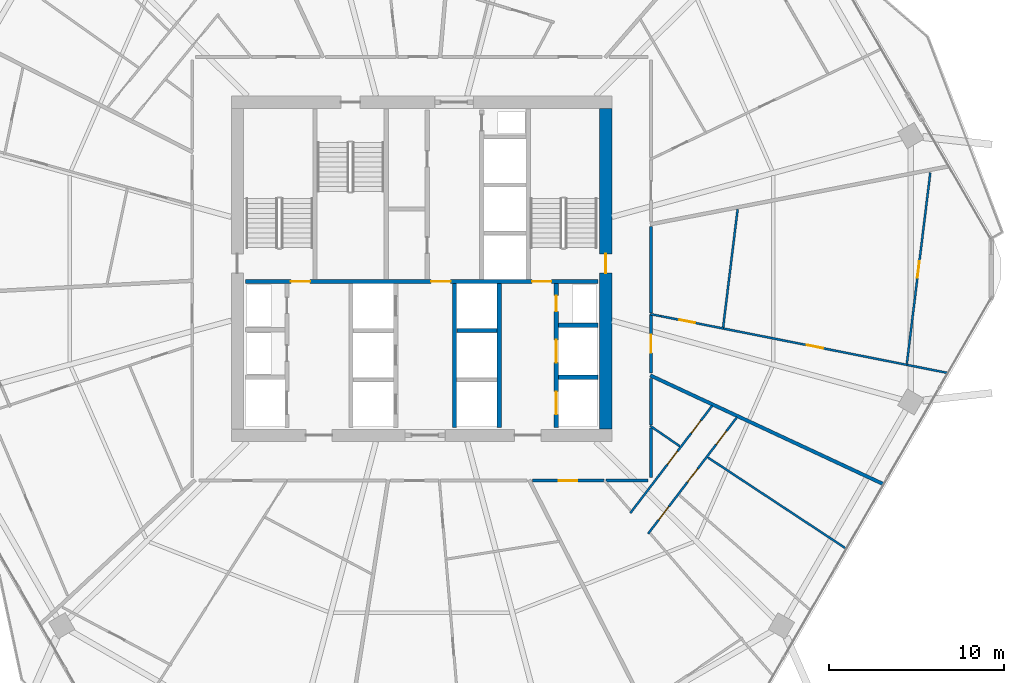
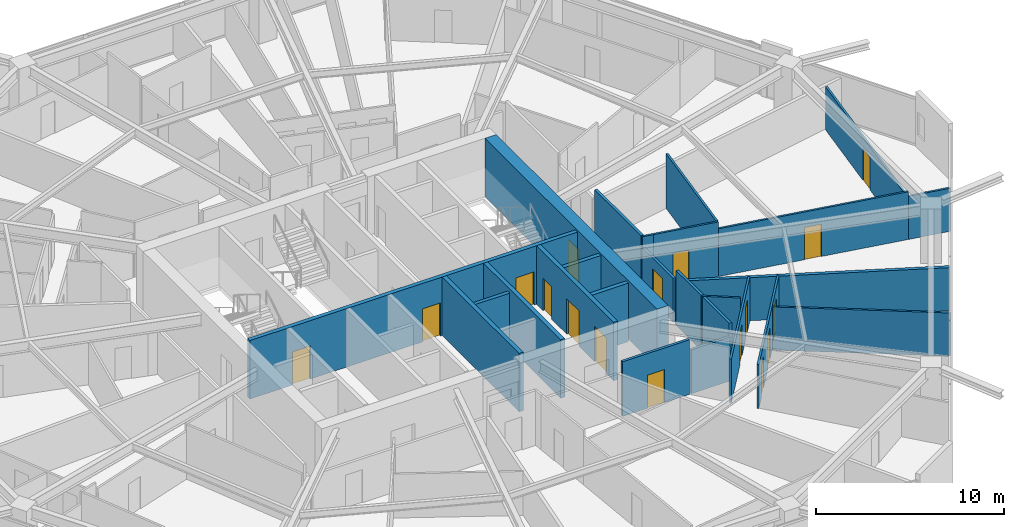
# One storey, part 23 of 29: 25 walls, 17 doors, 17 openings.
"""IFC4 building model written with IfcOpenShell, lengths in metres."""

from ifc_helpers import new_model, si_unit, direction, frame, frame_2d, origin, place, context, subcontext, project, spatial, rectangle, extrude, material, layer, layer_set, type_object, element, fill, save


model = new_model("IFC4")

# Units and contexts
model_context = context("Model", 3, precision=1e-05, world=origin(), true_north=direction((0.0, 1.0)))
body_context = subcontext(model_context, "Body", "Model", "MODEL_VIEW")
ifc_project = project(units=[si_unit("LENGTHUNIT", "METRE"), si_unit("AREAUNIT", "SQUARE_METRE"), si_unit("VOLUMEUNIT", "CUBIC_METRE"), si_unit("PLANEANGLEUNIT", "RADIAN"), si_unit("MASSUNIT", "GRAM", prefix="KILO")], contexts=[model_context])

# Site, building, storey
site_placement = place(None, origin())
site = spatial("IfcSite", under=ifc_project, at=site_placement, CompositionType="ELEMENT")
building_placement = place(site_placement, origin())
building = spatial("IfcBuilding", under=site, at=building_placement, Name="Zuhravey Tower", CompositionType="ELEMENT")
storey_placement = place(building_placement, frame((0.0, 0.0, 134.199951171875)))
storey = spatial("IfcBuildingStorey", under=building, at=storey_placement, Name="L33", CompositionType="ELEMENT", Elevation=134.199951171875)

# Wall, opening, door
ifc_material_1 = material(Name="Concrete C60/75", Category="concrete")
ifc_layer_1 = layer(ifc_material_1, 0.699951171875)
ifc_layer_set_1 = layer_set([ifc_layer_1], Name="Concrete C60/75")
wall_type_1 = type_object("IfcWallType", Name="Core Shear Wall 700", PredefinedType="SHEAR", material=ifc_layer_set_1)
wall_1_placement = place(storey_placement, frame((46.5, 22.85009765625, 0.0), z_axis=(0.0, 0.0, 1.0), x_axis=(0.0, 1.0, 0.0)))
wall_1 = element("IfcWall", 1, at=wall_1_placement, inside=storey, type_object=wall_type_1, Name="L33 East Core Shear Wall CW70", PredefinedType="SHEAR", context=body_context, shape_type="SweptSolid", body=[
    extrude(rectangle(XDim=18.2998046875, YDim=0.699951171875, at=frame_2d((9.14990234375, 0.0))), origin(), (0.0, 0.0, 1.0), 3.800048828125),
])
opening_1_placement = place(wall_1_placement, frame((8.89990234375, 0.0, 0.0)))
opening_1 = element("IfcOpeningElement", 2, at=opening_1_placement, cuts=wall_1, Name="Opening STD1", PredefinedType="OPENING", context=body_context, shape_type="SweptSolid", body=[
    extrude(rectangle(XDim=1.10009765625, YDim=2.14990234375, at=frame_2d((0.550048828125, 1.074951171875))), frame((0.0, 0.362060546875, 0.0), z_axis=(0.0, -1.0, 0.0), x_axis=(1.0, 0.0, 0.0)), (0.0, 0.0, 1.0), 0.723876953125),
])
ifc_material_2 = material(Name="Galvanised fire-rated steel leaf", Category="steel")
door_type_1 = type_object("IfcDoorType", Name="Protected Stair Fire Door 1100x2150", OperationType="NOTDEFINED", PredefinedType="USERDEFINED", material=ifc_material_2)
door_1_placement = place(opening_1_placement, origin())
door_1 = element("IfcDoor", 3, at=door_1_placement, inside=storey, type_object=door_type_1, Name="L33 Stair ST2 Door", ObjectType="EXITDOOR", OperationType="SINGLE_SWING_RIGHT", OverallHeight=2.14990234375, OverallWidth=1.10009765625, PredefinedType="USERDEFINED", context=body_context, shape_type="SweptSolid", body=[
    extrude(rectangle(XDim=1.10009765625, YDim=2.14990234375, at=frame_2d((0.550048828125, 1.074951171875))), frame((0.0, 0.02490234375, 0.0), z_axis=(0.0, -1.0, 0.0), x_axis=(1.0, 0.0, 0.0)), (0.0, 0.0, 1.0), 0.050048828125),
])
fill(opening_1, door_1)

ifc_material_3 = material(Name="Gypsum fire-rated stud partition")
ifc_layer_2 = layer(ifc_material_3, 0.159912109375)
ifc_layer_set_2 = layer_set([ifc_layer_2], Name="Gypsum fire-rated stud partition")
wall_type_2 = type_object("IfcWallType", Name="Corridor Fire Partition 160", PredefinedType="PARTITIONING", material=ifc_layer_set_2)
wall_2_placement = place(storey_placement, frame((42.31103515625, 19.919921875, 0.0), z_axis=(0.0, 0.0, 1.0), x_axis=(1.0, 0.0, 0.0)))
wall_2 = element("IfcWall", 4, at=wall_2_placement, inside=storey, type_object=wall_type_2, Name="L33 IW16 Partition 062", PredefinedType="PARTITIONING", context=body_context, shape_type="SweptSolid", body=[
    extrude(rectangle(XDim=4.09716796875, YDim=0.159912109375, at=frame_2d((2.048583984375, 0.0))), origin(), (0.0, 0.0, 1.0), 3.550048828125),
])
opening_2_placement = place(wall_2_placement, frame((1.5234375, 0.0, 0.0)))
opening_2 = element("IfcOpeningElement", 5, at=opening_2_placement, cuts=wall_2, Name="Opening APD1", PredefinedType="OPENING", context=body_context, shape_type="SweptSolid", body=[
    extrude(rectangle(XDim=1.050048828125, YDim=2.14990234375, at=frame_2d((0.52490234375, 1.074951171875))), frame((0.0, 0.092041015625, 0.0), z_axis=(0.0, -1.0, 0.0), x_axis=(1.0, 0.0, 0.0)), (0.0, 0.0, 1.0), 0.183837890625),
])
ifc_material_4 = material(Name="Solid-core oak fire-rated leaf")
door_type_2 = type_object("IfcDoorType", Name="Apartment Entrance Fire Door 1050x2150", OperationType="NOTDEFINED", PredefinedType="DOOR", material=ifc_material_4)
door_2_placement = place(opening_2_placement, frame((1.050048828125, 0.0, 0.0), z_axis=(0.0, 0.0, 1.0), x_axis=(-1.0, 0.0, 0.0)))
door_2 = element("IfcDoor", 6, at=door_2_placement, inside=storey, type_object=door_type_2, Name="L33 Door 062.1", OperationType="SINGLE_SWING_LEFT", OverallHeight=2.14990234375, OverallWidth=1.050048828125, PredefinedType="DOOR", context=body_context, shape_type="SweptSolid", body=[
    extrude(rectangle(XDim=1.050048828125, YDim=2.14990234375, at=frame_2d((0.52490234375, 1.074951171875))), frame((0.0, 0.02490234375, 0.0), z_axis=(0.0, -1.0, 0.0), x_axis=(1.0, 0.0, 0.0)), (0.0, 0.0, 1.0), 0.050048828125),
])
fill(opening_2, door_2)

wall_3_placement = place(storey_placement, frame((49.080078125, 26.06103515625, 0.0), z_axis=(0.0, 0.0, 1.0), x_axis=(0.0, 1.0, 0.0)))
wall_3 = element("IfcWall", 7, at=wall_3_placement, inside=storey, type_object=wall_type_2, Name="L33 IW16 Partition 066", PredefinedType="PARTITIONING", context=body_context, shape_type="SweptSolid", body=[
    extrude(rectangle(XDim=3.32861328125, YDim=0.159912109375, at=frame_2d((1.664306640625, 0.0))), origin(), (0.0, 0.0, 1.0), 2.85009765625),
])
opening_3_placement = place(wall_3_placement, frame((1.139404296875, 0.0, 0.0)))
opening_3 = element("IfcOpeningElement", 8, at=opening_3_placement, cuts=wall_3, Name="Opening APD1", PredefinedType="OPENING", context=body_context, shape_type="SweptSolid", body=[
    extrude(rectangle(XDim=1.050048828125, YDim=2.14990234375, at=frame_2d((0.52490234375, 1.074951171875))), frame((0.0, 0.092041015625, 0.0), z_axis=(0.0, -1.0, 0.0), x_axis=(1.0, 0.0, 0.0)), (0.0, 0.0, 1.0), 0.183837890625),
])
door_3_placement = place(opening_3_placement, frame((1.050048828125, 0.0, 0.0), z_axis=(0.0, 0.0, 1.0), x_axis=(-1.0, 0.0, 0.0)))
door_3 = element("IfcDoor", 9, at=door_3_placement, inside=storey, type_object=door_type_2, Name="L33 Door 066.1", OperationType="SINGLE_SWING_LEFT", OverallHeight=2.14990234375, OverallWidth=1.050048828125, PredefinedType="DOOR", context=body_context, shape_type="SweptSolid", body=[
    extrude(rectangle(XDim=1.050048828125, YDim=2.14990234375, at=frame_2d((0.52490234375, 1.074951171875))), frame((0.0, 0.02490234375, 0.0), z_axis=(0.0, -1.0, 0.0), x_axis=(1.0, 0.0, 0.0)), (0.0, 0.0, 1.0), 0.050048828125),
])
fill(opening_3, door_3)

# Walls
wall_4_placement = place(storey_placement, frame((49.080078125, 20.10009765625, 0.0), z_axis=(0.0, 0.0, 1.0), x_axis=(0.0, 1.0, 0.0)))
element("IfcWall", 10, at=wall_4_placement, inside=storey, type_object=wall_type_2, Name="L33 IW16 Partition 140", PredefinedType="PARTITIONING", context=body_context, shape_type="SweptSolid", body=[
    extrude(rectangle(XDim=2.828369140625, YDim=0.159912109375, at=frame_2d((1.4140625, 0.0))), origin(), (0.0, 0.0, 1.0), 3.550048828125),
])
wall_5_placement = place(storey_placement, frame((46.5244140625, 19.919921875, 0.0), z_axis=(0.0, 0.0, 1.0), x_axis=(1.0, 0.0, 0.0)))
element("IfcWall", 11, at=wall_5_placement, inside=storey, type_object=wall_type_2, Name="L33 IW16 Partition 141", PredefinedType="PARTITIONING", context=body_context, shape_type="SweptSolid", body=[
    extrude(rectangle(XDim=2.37548828125, YDim=0.159912109375, at=frame_2d((1.187744140625, 0.0))), origin(), (0.0, 0.0, 1.0), 2.85009765625),
])
wall_6_placement = place(storey_placement, frame((49.080078125, 23.093505859375, 0.0), z_axis=(0.0, 0.0, 1.0), x_axis=(0.0, 1.0, 0.0)))
element("IfcWall", 12, at=wall_6_placement, inside=storey, type_object=wall_type_2, Name="L33 IW16 Partition 142", PredefinedType="PARTITIONING", context=body_context, shape_type="SweptSolid", body=[
    extrude(rectangle(XDim=2.6455078125, YDim=0.159912109375, at=frame_2d((1.32275390625, 0.0))), origin(), (0.0, 0.0, 1.0), 3.550048828125),
])
wall_7_placement = place(storey_placement, frame((49.080078125, 29.4794921875, 0.0), z_axis=(0.0, 0.0, 1.0), x_axis=(0.0, 1.0, 0.0)))
element("IfcWall", 13, at=wall_7_placement, inside=storey, type_object=wall_type_2, Name="L33 IW16 Partition 143", PredefinedType="PARTITIONING", context=body_context, shape_type="SweptSolid", body=[
    extrude(rectangle(XDim=4.92431640625, YDim=0.159912109375, at=frame_2d((2.462158203125, 0.0))), origin(), (0.0, 0.0, 1.0), 3.550048828125),
])

# Wall, openings, doors
ifc_material_5 = material(Name="Concrete C50/60", Category="concrete")
ifc_layer_3 = layer(ifc_material_5, 0.25)
ifc_layer_set_3 = layer_set([ifc_layer_3], Name="Concrete C50/60")
wall_type_3 = type_object("IfcWallType", Name="Firefighting Shaft & Stair Wall 250", PredefinedType="SOLIDWALL", material=ifc_layer_set_3)
wall_8_placement = place(storey_placement, frame((25.949951171875, 31.27490234375, 0.0), z_axis=(0.0, 0.0, 1.0), x_axis=(1.0, 0.0, 0.0)))
wall_8 = element("IfcWall", 14, at=wall_8_placement, inside=storey, type_object=wall_type_3, Name="L33 FW25 Shaft Wall 003", PredefinedType="SOLIDWALL", context=body_context, shape_type="SweptSolid", body=[
    extrude(rectangle(XDim=20.10009765625, YDim=0.25, at=frame_2d((10.050048828125, 0.0))), origin(), (0.0, 0.0, 1.0), 3.800048828125),
])
opening_4_placement = place(wall_8_placement, frame((2.60009765625, 0.0, 0.0)))
opening_4 = element("IfcOpeningElement", 15, at=opening_4_placement, cuts=wall_8, Name="Opening STD1", PredefinedType="OPENING", context=body_context, shape_type="SweptSolid", body=[
    extrude(rectangle(XDim=1.10009765625, YDim=2.14990234375, at=frame_2d((0.550048828125, 1.074951171875))), frame((0.0, 0.136962890625, 0.0), z_axis=(0.0, -1.0, 0.0), x_axis=(1.0, 0.0, 0.0)), (0.0, 0.0, 1.0), 0.27392578125),
])
opening_5_placement = place(wall_8_placement, frame((10.60009765625, 0.0, 0.0)))
opening_5 = element("IfcOpeningElement", 16, at=opening_5_placement, cuts=wall_8, Name="Opening STD1", PredefinedType="OPENING", context=body_context, shape_type="SweptSolid", body=[
    extrude(rectangle(XDim=1.10009765625, YDim=2.14990234375, at=frame_2d((0.550048828125, 1.074951171875))), frame((0.0, 0.136962890625, 0.0), z_axis=(0.0, -1.0, 0.0), x_axis=(1.0, 0.0, 0.0)), (0.0, 0.0, 1.0), 0.27392578125),
])
opening_6_placement = place(wall_8_placement, frame((16.35009765625, 0.0, 0.0)))
opening_6 = element("IfcOpeningElement", 17, at=opening_6_placement, cuts=wall_8, Name="Opening STD1", PredefinedType="OPENING", context=body_context, shape_type="SweptSolid", body=[
    extrude(rectangle(XDim=1.10009765625, YDim=2.14990234375, at=frame_2d((0.550048828125, 1.074951171875))), frame((0.0, 0.136962890625, 0.0), z_axis=(0.0, -1.0, 0.0), x_axis=(1.0, 0.0, 0.0)), (0.0, 0.0, 1.0), 0.27392578125),
])
door_4_placement = place(opening_4_placement, origin())
door_4 = element("IfcDoor", 18, at=door_4_placement, inside=storey, type_object=door_type_1, Name="L33 FFL-W to ST1 Door", ObjectType="EXITDOOR", OperationType="SINGLE_SWING_RIGHT", OverallHeight=2.14990234375, OverallWidth=1.10009765625, PredefinedType="USERDEFINED", context=body_context, shape_type="SweptSolid", body=[
    extrude(rectangle(XDim=1.10009765625, YDim=2.14990234375, at=frame_2d((0.550048828125, 1.074951171875))), frame((0.0, 0.02490234375, 0.0), z_axis=(0.0, -1.0, 0.0), x_axis=(1.0, 0.0, 0.0)), (0.0, 0.0, 1.0), 0.050048828125),
])
fill(opening_4, door_4)
door_5_placement = place(opening_5_placement, origin())
door_5 = element("IfcDoor", 19, at=door_5_placement, inside=storey, type_object=door_type_1, Name="L33 Core Lobby Link Door", ObjectType="EXITDOOR", OperationType="SINGLE_SWING_LEFT", OverallHeight=2.14990234375, OverallWidth=1.10009765625, PredefinedType="USERDEFINED", context=body_context, shape_type="SweptSolid", body=[
    extrude(rectangle(XDim=1.10009765625, YDim=2.14990234375, at=frame_2d((0.550048828125, 1.074951171875))), frame((0.0, 0.02490234375, 0.0), z_axis=(0.0, -1.0, 0.0), x_axis=(1.0, 0.0, 0.0)), (0.0, 0.0, 1.0), 0.050048828125),
])
fill(opening_5, door_5)
door_6_placement = place(opening_6_placement, origin())
door_6 = element("IfcDoor", 20, at=door_6_placement, inside=storey, type_object=door_type_1, Name="L33 FFL-E to ST2 Door", ObjectType="EXITDOOR", OperationType="SINGLE_SWING_RIGHT", OverallHeight=2.14990234375, OverallWidth=1.10009765625, PredefinedType="USERDEFINED", context=body_context, shape_type="SweptSolid", body=[
    extrude(rectangle(XDim=1.10009765625, YDim=2.14990234375, at=frame_2d((0.550048828125, 1.074951171875))), frame((0.0, 0.02490234375, 0.0), z_axis=(0.0, -1.0, 0.0), x_axis=(1.0, 0.0, 0.0)), (0.0, 0.0, 1.0), 0.050048828125),
])
fill(opening_6, door_6)

# Walls
for number, where, z_axis, x_axis, name in (
    (21, (37.875, 22.949951171875, 0.0), (0.0, 0.0, 1.0), (0.0, 1.0, 0.0), "L33 FW25 Shaft Wall 014"),
    (22, (40.425048828125, 22.949951171875, 0.0), (0.0, 0.0, 1.0), (0.0, 1.0, 0.0), "L33 FW25 Shaft Wall 015"),
):
    element("IfcWall", number, at=place(storey_placement, frame(where, z_axis=z_axis, x_axis=x_axis)), inside=storey, type_object=wall_type_3, Name=name, PredefinedType="SOLIDWALL", context=body_context, shape_type="SweptSolid", body=[
        extrude(rectangle(XDim=8.199951171875, YDim=0.25, at=frame_2d((4.10009765625, 0.0))), origin(), (0.0, 0.0, 1.0), 3.800048828125),
    ])
for number, where, z_axis, x_axis, name in (
    (23, (43.800048828125, 25.824951171875, 0.0), (0.0, 0.0, 1.0), (1.0, 0.0, 0.0), "L33 FW25 Shaft Wall 016"),
    (24, (43.800048828125, 28.77490234375, 0.0), (0.0, 0.0, 1.0), (1.0, 0.0, 0.0), "L33 FW25 Shaft Wall 017"),
):
    element("IfcWall", number, at=place(storey_placement, frame(where, z_axis=z_axis, x_axis=x_axis)), inside=storey, type_object=wall_type_3, Name=name, PredefinedType="SOLIDWALL", context=body_context, shape_type="SweptSolid", body=[
        extrude(rectangle(XDim=2.25, YDim=0.25, at=frame_2d((1.125, 0.0))), origin(), (0.0, 0.0, 1.0), 3.800048828125),
    ])

# Wall, openings, doors
wall_9_placement = place(storey_placement, frame((43.675048828125, 22.949951171875, 0.0), z_axis=(0.0, 0.0, 1.0), x_axis=(0.0, 1.0, 0.0)))
wall_9 = element("IfcWall", 25, at=wall_9_placement, inside=storey, type_object=wall_type_3, Name="L33 FW25 Shaft Wall 018", PredefinedType="SOLIDWALL", context=body_context, shape_type="SweptSolid", body=[
    extrude(rectangle(XDim=8.199951171875, YDim=0.25, at=frame_2d((4.10009765625, 0.0))), origin(), (0.0, 0.0, 1.0), 3.800048828125),
])
opening_7_placement = place(wall_9_placement, frame((0.75, 0.0, 0.0)))
opening_7 = element("IfcOpeningElement", 26, at=opening_7_placement, cuts=wall_9, Name="Opening LD2", PredefinedType="OPENING", context=body_context, shape_type="SweptSolid", body=[
    extrude(rectangle(XDim=1.300048828125, YDim=2.300048828125, at=frame_2d((0.64990234375, 1.14990234375))), frame((0.0, 0.136962890625, 0.0), z_axis=(0.0, -1.0, 0.0), x_axis=(1.0, 0.0, 0.0)), (0.0, 0.0, 1.0), 0.27392578125),
])
opening_8_placement = place(wall_9_placement, frame((3.699951171875, 0.0, 0.0)))
opening_8 = element("IfcOpeningElement", 27, at=opening_8_placement, cuts=wall_9, Name="Opening LD2", PredefinedType="OPENING", context=body_context, shape_type="SweptSolid", body=[
    extrude(rectangle(XDim=1.300048828125, YDim=2.300048828125, at=frame_2d((0.64990234375, 1.14990234375))), frame((0.0, 0.136962890625, 0.0), z_axis=(0.0, -1.0, 0.0), x_axis=(1.0, 0.0, 0.0)), (0.0, 0.0, 1.0), 0.27392578125),
])
opening_9_placement = place(wall_9_placement, frame((6.6201171875, 0.0, 0.0)))
opening_9 = element("IfcOpeningElement", 28, at=opening_9_placement, cuts=wall_9, Name="Opening RSD1", PredefinedType="OPENING", context=body_context, shape_type="SweptSolid", body=[
    extrude(rectangle(XDim=0.89990234375, YDim=2.10009765625, at=frame_2d((0.449951171875, 1.050048828125))), frame((0.0, 0.136962890625, 0.0), z_axis=(0.0, -1.0, 0.0), x_axis=(1.0, 0.0, 0.0)), (0.0, 0.0, 1.0), 0.27392578125),
])
ifc_material_6 = material(Name="Brushed stainless steel", Category="steel")
door_type_3 = type_object("IfcDoorType", Name="Freight & Stretcher Lift Sliding Door 1300x2300", OperationType="DOUBLE_DOOR_SLIDING", PredefinedType="DOOR", material=ifc_material_6)
door_7_placement = place(opening_7_placement, origin())
door_7 = element("IfcDoor", 29, at=door_7_placement, inside=storey, type_object=door_type_3, Name="L33 Lift FF2 Landing Door", OperationType="DOUBLE_DOOR_SLIDING", OverallHeight=2.300048828125, OverallWidth=1.300048828125, PredefinedType="DOOR", context=body_context, shape_type="SweptSolid", body=[
    extrude(rectangle(XDim=1.300048828125, YDim=2.300048828125, at=frame_2d((0.64990234375, 1.14990234375))), frame((0.0, 0.02490234375, 0.0), z_axis=(0.0, -1.0, 0.0), x_axis=(1.0, 0.0, 0.0)), (0.0, 0.0, 1.0), 0.050048828125),
])
fill(opening_7, door_7)
door_8_placement = place(opening_8_placement, origin())
door_8 = element("IfcDoor", 30, at=door_8_placement, inside=storey, type_object=door_type_3, Name="L33 Lift SV1 Landing Door", OperationType="DOUBLE_DOOR_SLIDING", OverallHeight=2.300048828125, OverallWidth=1.300048828125, PredefinedType="DOOR", context=body_context, shape_type="SweptSolid", body=[
    extrude(rectangle(XDim=1.300048828125, YDim=2.300048828125, at=frame_2d((0.64990234375, 1.14990234375))), frame((0.0, 0.02490234375, 0.0), z_axis=(0.0, -1.0, 0.0), x_axis=(1.0, 0.0, 0.0)), (0.0, 0.0, 1.0), 0.050048828125),
])
fill(opening_8, door_8)
ifc_material_7 = material(Name="Galvanised fire-rated steel access leaf", Category="steel")
door_type_4 = type_object("IfcDoorType", Name="Riser & Shaft Access Fire Door 900x2100", OperationType="NOTDEFINED", PredefinedType="DOOR", material=ifc_material_7)
door_9_placement = place(opening_9_placement, origin())
door_9 = element("IfcDoor", 31, at=door_9_placement, inside=storey, type_object=door_type_4, Name="L33 Plumbing Riser Door", OperationType="SINGLE_SWING_RIGHT", OverallHeight=2.10009765625, OverallWidth=0.89990234375, PredefinedType="DOOR", context=body_context, shape_type="SweptSolid", body=[
    extrude(rectangle(XDim=0.89990234375, YDim=2.10009765625, at=frame_2d((0.449951171875, 1.050048828125))), frame((0.0, 0.02490234375, 0.0), z_axis=(0.0, -1.0, 0.0), x_axis=(1.0, 0.0, 0.0)), (0.0, 0.0, 1.0), 0.050048828125),
])
fill(opening_9, door_9)

# Walls
ifc_material_8 = material(Name="Gypsum double-stud party assembly")
ifc_layer_4 = layer(ifc_material_8, 0.199951171875)
ifc_layer_set_4 = layer_set([ifc_layer_4], Name="Gypsum double-stud party assembly")
wall_type_4 = type_object("IfcWallType", Name="Inter-Tenancy Party Wall 200", PredefinedType="PARTITIONING", material=ifc_layer_set_4)
wall_10_placement = place(storey_placement, frame((49.0400390625, 25.919189453125, 0.0), z_axis=(0.0, 0.0, 1.0), x_axis=(0.90630970467, -0.422614149338, 0.0)))
element("IfcWall", 32, at=wall_10_placement, inside=storey, type_object=wall_type_4, Name="L33 IW20 Partition 124", PredefinedType="PARTITIONING", context=body_context, shape_type="SweptSolid", body=[
    extrude(rectangle(XDim=14.680908203125, YDim=0.199951171875, at=frame_2d((7.34033203125, 0.0))), origin(), (0.0, 0.0, 1.0), 2.800048828125),
])
ifc_material_9 = material(Name="Gypsum acoustic stud assembly")
ifc_layer_5 = layer(ifc_material_9, 0.219970703125)
ifc_layer_set_5 = layer_set([ifc_layer_5], Name="Gypsum acoustic stud assembly")
wall_type_5 = type_object("IfcWallType", Name="School Acoustic Compartment Wall 220", PredefinedType="PARTITIONING", material=ifc_layer_set_5)
wall_11_placement = place(storey_placement, frame((38.008056640625, 28.47509765625, 0.0), z_axis=(0.0, 0.0, 1.0), x_axis=(1.0, 0.0, 0.0)))
element("IfcWall", 33, at=wall_11_placement, inside=storey, type_object=wall_type_5, Name="L33 IW22 Partition 074", PredefinedType="PARTITIONING", context=body_context, shape_type="SweptSolid", body=[
    extrude(rectangle(XDim=2.283935546875, YDim=0.219970703125, at=frame_2d((1.14208984375, 0.0))), origin(), (0.0, 0.0, 1.0), 3.550048828125),
])

# Wall, openings, doors
ifc_material_10 = material(Name="Gypsum metal-stud partition")
ifc_layer_6 = layer(ifc_material_10, 0.1201171875)
ifc_layer_set_6 = layer_set([ifc_layer_6], Name="Gypsum metal-stud partition")
wall_type_6 = type_object("IfcWallType", Name="Unit Internal Partition 120", PredefinedType="PARTITIONING", material=ifc_layer_set_6)
wall_12_placement = place(storey_placement, frame((47.901123046875, 18.069091796875, 0.0), z_axis=(0.0, 0.0, 1.0), x_axis=(0.606532258444, 0.795058877988, 0.0)))
wall_12 = element("IfcWall", 34, at=wall_12_placement, inside=storey, type_object=wall_type_6, Name="L33 IW12 Partition 060", PredefinedType="PARTITIONING", context=body_context, shape_type="SweptSolid", body=[
    extrude(rectangle(XDim=7.71435546875, YDim=0.1201171875, at=frame_2d((3.857177734375, 0.0))), origin(), (0.0, 0.0, 1.0), 2.85009765625),
])
opening_10_placement = place(wall_12_placement, frame((3.4892578125, 0.0, 0.0)))
opening_10 = element("IfcOpeningElement", 35, at=opening_10_placement, cuts=wall_12, Name="Opening IND1", PredefinedType="OPENING", context=body_context, shape_type="SweptSolid", body=[
    extrude(rectangle(XDim=0.949951171875, YDim=2.10009765625, at=frame_2d((0.47509765625, 1.050048828125))), frame((0.0, 0.072021484375, 0.0), z_axis=(0.0, -1.0, 0.0), x_axis=(1.0, 0.0, 0.0)), (0.0, 0.0, 1.0), 0.14404296875),
])
opening_11_placement = place(wall_12_placement, frame((5.72900390625, 0.0, 0.0)))
opening_11 = element("IfcOpeningElement", 36, at=opening_11_placement, cuts=wall_12, Name="Opening WCD1", PredefinedType="OPENING", context=body_context, shape_type="SweptSolid", body=[
    extrude(rectangle(XDim=0.89990234375, YDim=2.10009765625, at=frame_2d((0.449951171875, 1.050048828125))), frame((0.0, 0.072021484375, 0.0), z_axis=(0.0, -1.0, 0.0), x_axis=(1.0, 0.0, 0.0)), (0.0, 0.0, 1.0), 0.14404296875),
])
ifc_material_11 = material(Name="Moisture-resistant timber leaf", Category="wood")
door_type_5 = type_object("IfcDoorType", Name="Bathroom & WC Internal Door 900x2100", OperationType="NOTDEFINED", PredefinedType="DOOR", material=ifc_material_11)
door_10_placement = place(opening_11_placement, origin())
door_10 = element("IfcDoor", 37, at=door_10_placement, inside=storey, type_object=door_type_5, Name="Apartment L33-09 Bathroom Door", OperationType="SINGLE_SWING_LEFT", OverallHeight=2.10009765625, OverallWidth=0.89990234375, PredefinedType="DOOR", context=body_context, shape_type="SweptSolid", body=[
    extrude(rectangle(XDim=0.89990234375, YDim=2.10009765625, at=frame_2d((0.449951171875, 1.050048828125))), frame((0.0, 0.02490234375, 0.0), z_axis=(0.0, -1.0, 0.0), x_axis=(1.0, 0.0, 0.0)), (0.0, 0.0, 1.0), 0.050048828125),
])
fill(opening_11, door_10)
ifc_material_12 = material(Name="Painted engineered timber leaf", Category="wood")
door_type_6 = type_object("IfcDoorType", Name="Internal Room & Bedroom Door 950x2100", OperationType="NOTDEFINED", PredefinedType="DOOR", material=ifc_material_12)
door_11_placement = place(opening_10_placement, origin())
door_11 = element("IfcDoor", 38, at=door_11_placement, inside=storey, type_object=door_type_6, Name="Apartment L33-09 Kitchen Door", OperationType="SINGLE_SWING_RIGHT", OverallHeight=2.10009765625, OverallWidth=0.949951171875, PredefinedType="DOOR", context=body_context, shape_type="SweptSolid", body=[
    extrude(rectangle(XDim=0.949951171875, YDim=2.10009765625, at=frame_2d((0.47509765625, 1.050048828125))), frame((0.0, 0.02490234375, 0.0), z_axis=(0.0, -1.0, 0.0), x_axis=(1.0, 0.0, 0.0)), (0.0, 0.0, 1.0), 0.050048828125),
])
fill(opening_10, door_11)

wall_13_placement = place(storey_placement, frame((48.91650390625, 16.893798828125, 0.0), z_axis=(0.0, 0.0, 1.0), x_axis=(0.606532810855, 0.795058456566, 0.0)))
wall_13 = element("IfcWall", 39, at=wall_13_placement, inside=storey, type_object=wall_type_6, Name="L33 IW12 Partition 061", PredefinedType="PARTITIONING", context=body_context, shape_type="SweptSolid", body=[
    extrude(rectangle(XDim=8.3515625, YDim=0.1201171875, at=frame_2d((4.17578125, 0.0))), origin(), (0.0, 0.0, 1.0), 2.85009765625),
])
opening_12_placement = place(wall_13_placement, frame((0.99267578125, 0.0, 0.0)))
opening_12 = element("IfcOpeningElement", 40, at=opening_12_placement, cuts=wall_13, Name="Opening IND1", PredefinedType="OPENING", context=body_context, shape_type="SweptSolid", body=[
    extrude(rectangle(XDim=0.949951171875, YDim=2.10009765625, at=frame_2d((0.47509765625, 1.050048828125))), frame((0.0, 0.072021484375, 0.0), z_axis=(0.0, -1.0, 0.0), x_axis=(1.0, 0.0, 0.0)), (0.0, 0.0, 1.0), 0.14404296875),
])
opening_13_placement = place(wall_13_placement, frame((3.70068359375, 0.0, 0.0)))
opening_13 = element("IfcOpeningElement", 41, at=opening_13_placement, cuts=wall_13, Name="Opening IND1", PredefinedType="OPENING", context=body_context, shape_type="SweptSolid", body=[
    extrude(rectangle(XDim=0.949951171875, YDim=2.10009765625, at=frame_2d((0.47509765625, 1.050048828125))), frame((0.0, 0.072021484375, 0.0), z_axis=(0.0, -1.0, 0.0), x_axis=(1.0, 0.0, 0.0)), (0.0, 0.0, 1.0), 0.14404296875),
])
opening_14_placement = place(wall_13_placement, frame((6.4091796875, 0.0, 0.0)))
opening_14 = element("IfcOpeningElement", 42, at=opening_14_placement, cuts=wall_13, Name="Opening IND1", PredefinedType="OPENING", context=body_context, shape_type="SweptSolid", body=[
    extrude(rectangle(XDim=0.949951171875, YDim=2.10009765625, at=frame_2d((0.47509765625, 1.050048828125))), frame((0.0, 0.072021484375, 0.0), z_axis=(0.0, -1.0, 0.0), x_axis=(1.0, 0.0, 0.0)), (0.0, 0.0, 1.0), 0.14404296875),
])
door_12_placement = place(opening_12_placement, frame((0.949951171875, 0.0, 0.0), z_axis=(0.0, 0.0, 1.0), x_axis=(-1.0, 0.0, 0.0)))
door_12 = element("IfcDoor", 43, at=door_12_placement, inside=storey, type_object=door_type_6, Name="Apartment L33-09 Bedroom 1 Door", OperationType="SINGLE_SWING_RIGHT", OverallHeight=2.10009765625, OverallWidth=0.949951171875, PredefinedType="DOOR", context=body_context, shape_type="SweptSolid", body=[
    extrude(rectangle(XDim=0.949951171875, YDim=2.10009765625, at=frame_2d((0.47509765625, 1.050048828125))), frame((0.0, 0.02490234375, 0.0), z_axis=(0.0, -1.0, 0.0), x_axis=(1.0, 0.0, 0.0)), (0.0, 0.0, 1.0), 0.050048828125),
])
fill(opening_12, door_12)
door_13_placement = place(opening_13_placement, frame((0.949951171875, 0.0, 0.0), z_axis=(0.0, 0.0, 1.0), x_axis=(-1.0, 0.0, 0.0)))
door_13 = element("IfcDoor", 44, at=door_13_placement, inside=storey, type_object=door_type_6, Name="Apartment L33-09 Bedroom 2 Door", OperationType="SINGLE_SWING_LEFT", OverallHeight=2.10009765625, OverallWidth=0.949951171875, PredefinedType="DOOR", context=body_context, shape_type="SweptSolid", body=[
    extrude(rectangle(XDim=0.949951171875, YDim=2.10009765625, at=frame_2d((0.47509765625, 1.050048828125))), frame((0.0, 0.02490234375, 0.0), z_axis=(0.0, -1.0, 0.0), x_axis=(1.0, 0.0, 0.0)), (0.0, 0.0, 1.0), 0.050048828125),
])
fill(opening_13, door_13)
door_14_placement = place(opening_14_placement, frame((0.949951171875, 0.0, 0.0), z_axis=(0.0, 0.0, 1.0), x_axis=(-1.0, 0.0, 0.0)))
door_14 = element("IfcDoor", 45, at=door_14_placement, inside=storey, type_object=door_type_6, Name="Apartment L33-09 Bedroom 3 Door", OperationType="SINGLE_SWING_RIGHT", OverallHeight=2.10009765625, OverallWidth=0.949951171875, PredefinedType="DOOR", context=body_context, shape_type="SweptSolid", body=[
    extrude(rectangle(XDim=0.949951171875, YDim=2.10009765625, at=frame_2d((0.47509765625, 1.050048828125))), frame((0.0, 0.02490234375, 0.0), z_axis=(0.0, -1.0, 0.0), x_axis=(1.0, 0.0, 0.0)), (0.0, 0.0, 1.0), 0.050048828125),
])
fill(opening_14, door_14)

# Wall, opening, door
wall_14_placement = place(storey_placement, frame((49.64990234375, 29.297119140625, 0.0), z_axis=(0.0, 0.0, 1.0), x_axis=(0.9809591767, -0.194214040813, 0.0)))
wall_14 = element("IfcWall", 46, at=wall_14_placement, inside=storey, type_object=wall_type_6, Name="L33 IW12 Partition 063", PredefinedType="PARTITIONING", context=body_context, shape_type="SweptSolid", body=[
    extrude(rectangle(XDim=3.629150390625, YDim=0.1201171875, at=frame_2d((1.814453125, 0.0))), origin(), (0.0, 0.0, 1.0), 3.550048828125),
])
opening_15_placement = place(wall_14_placement, frame((1.07421875, 0.0, 0.0)))
opening_15 = element("IfcOpeningElement", 47, at=opening_15_placement, cuts=wall_14, Name="Opening WCD1", PredefinedType="OPENING", context=body_context, shape_type="SweptSolid", body=[
    extrude(rectangle(XDim=0.89990234375, YDim=2.10009765625, at=frame_2d((0.449951171875, 1.050048828125))), frame((0.0, 0.072021484375, 0.0), z_axis=(0.0, -1.0, 0.0), x_axis=(1.0, 0.0, 0.0)), (0.0, 0.0, 1.0), 0.14404296875),
])
door_15_placement = place(opening_15_placement, origin())
door_15 = element("IfcDoor", 48, at=door_15_placement, inside=storey, type_object=door_type_5, Name="Apartment L33-10 Bathroom Door", OperationType="SINGLE_SWING_RIGHT", OverallHeight=2.10009765625, OverallWidth=0.89990234375, PredefinedType="DOOR", context=body_context, shape_type="SweptSolid", body=[
    extrude(rectangle(XDim=0.89990234375, YDim=2.10009765625, at=frame_2d((0.449951171875, 1.050048828125))), frame((0.0, 0.02490234375, 0.0), z_axis=(0.0, -1.0, 0.0), x_axis=(1.0, 0.0, 0.0)), (0.0, 0.0, 1.0), 0.050048828125),
])
fill(opening_15, door_15)

wall_15_placement = place(storey_placement, frame((53.2099609375, 28.59228515625, 0.0), z_axis=(0.0, 0.0, 1.0), x_axis=(0.980957842049, -0.1942207819, 0.0)))
wall_15 = element("IfcWall", 49, at=wall_15_placement, inside=storey, type_object=wall_type_6, Name="L33 IW12 Partition 064", PredefinedType="PARTITIONING", context=body_context, shape_type="SweptSolid", body=[
    extrude(rectangle(XDim=10.678466796875, YDim=0.1201171875, at=frame_2d((5.33935546875, 0.0))), origin(), (0.0, 0.0, 1.0), 3.10009765625),
])
opening_16_placement = place(wall_15_placement, frame((4.839111328125, 0.0, 0.0)))
opening_16 = element("IfcOpeningElement", 50, at=opening_16_placement, cuts=wall_15, Name="Opening IND1", PredefinedType="OPENING", context=body_context, shape_type="SweptSolid", body=[
    extrude(rectangle(XDim=0.949951171875, YDim=2.10009765625, at=frame_2d((0.47509765625, 1.050048828125))), frame((0.0, 0.072021484375, 0.0), z_axis=(0.0, -1.0, 0.0), x_axis=(1.0, 0.0, 0.0)), (0.0, 0.0, 1.0), 0.14404296875),
])
door_16_placement = place(opening_16_placement, origin())
door_16 = element("IfcDoor", 51, at=door_16_placement, inside=storey, type_object=door_type_6, Name="Apartment L33-10 Home Office Door", OperationType="SINGLE_SWING_LEFT", OverallHeight=2.10009765625, OverallWidth=0.949951171875, PredefinedType="DOOR", context=body_context, shape_type="SweptSolid", body=[
    extrude(rectangle(XDim=0.949951171875, YDim=2.10009765625, at=frame_2d((0.47509765625, 1.050048828125))), frame((0.0, 0.02490234375, 0.0), z_axis=(0.0, -1.0, 0.0), x_axis=(1.0, 0.0, 0.0)), (0.0, 0.0, 1.0), 0.050048828125),
])
fill(opening_16, door_16)

wall_16_placement = place(storey_placement, frame((63.668701171875, 26.5908203125, 0.0), z_axis=(0.0, 0.0, 1.0), x_axis=(0.121886685179, 0.992544022185, 0.0)))
wall_16 = element("IfcWall", 52, at=wall_16_placement, inside=storey, type_object=wall_type_6, Name="L33 IW12 Partition 065", PredefinedType="PARTITIONING", context=body_context, shape_type="SweptSolid", body=[
    extrude(rectangle(XDim=10.968505859375, YDim=0.1201171875, at=frame_2d((5.484375, 0.0))), origin(), (0.0, 0.0, 1.0), 2.800048828125),
])
opening_17_placement = place(wall_16_placement, frame((4.925048828125, 0.0, 0.0)))
opening_17 = element("IfcOpeningElement", 53, at=opening_17_placement, cuts=wall_16, Name="Opening IND1", PredefinedType="OPENING", context=body_context, shape_type="SweptSolid", body=[
    extrude(rectangle(XDim=0.949951171875, YDim=2.10009765625, at=frame_2d((0.47509765625, 1.050048828125))), frame((0.0, 0.072021484375, 0.0), z_axis=(0.0, -1.0, 0.0), x_axis=(1.0, 0.0, 0.0)), (0.0, 0.0, 1.0), 0.14404296875),
])
door_17_placement = place(opening_17_placement, frame((0.949951171875, 0.0, 0.0), z_axis=(0.0, 0.0, 1.0), x_axis=(-1.0, 0.0, 0.0)))
door_17 = element("IfcDoor", 54, at=door_17_placement, inside=storey, type_object=door_type_6, Name="Apartment L33-10 Bedroom 1 Door", OperationType="SINGLE_SWING_RIGHT", OverallHeight=2.10009765625, OverallWidth=0.949951171875, PredefinedType="DOOR", context=body_context, shape_type="SweptSolid", body=[
    extrude(rectangle(XDim=0.949951171875, YDim=2.10009765625, at=frame_2d((0.47509765625, 1.050048828125))), frame((0.0, 0.02490234375, 0.0), z_axis=(0.0, -1.0, 0.0), x_axis=(1.0, 0.0, 0.0)), (0.0, 0.0, 1.0), 0.050048828125),
])
fill(opening_17, door_17)

# Walls
wall_17_placement = place(storey_placement, frame((49.030029296875, 23.04541015625, 0.0), z_axis=(0.0, 0.0, 1.0), x_axis=(0.824090441083, -0.5664582464, 0.0)))
element("IfcWall", 55, at=wall_17_placement, inside=storey, type_object=wall_type_6, Name="L33 IW12 Partition 118", PredefinedType="PARTITIONING", context=body_context, shape_type="SweptSolid", body=[
    extrude(rectangle(XDim=2.055419921875, YDim=0.1201171875, at=frame_2d((1.02783203125, 0.0))), origin(), (0.0, 0.0, 1.0), 3.550048828125),
])
wall_18_placement = place(storey_placement, frame((52.319091796875, 21.2421875, 0.0), z_axis=(0.0, 0.0, 1.0), x_axis=(0.834917563822, -0.550375019075, 0.0)))
element("IfcWall", 56, at=wall_18_placement, inside=storey, type_object=wall_type_6, Name="L33 IW12 Partition 120", PredefinedType="PARTITIONING", context=body_context, shape_type="SweptSolid", body=[
    extrude(rectangle(XDim=9.473388671875, YDim=0.1201171875, at=frame_2d((4.73681640625, 0.0))), origin(), (0.0, 0.0, 1.0), 2.800048828125),
])
wall_19_placement = place(storey_placement, frame((49.034912109375, 29.4189453125, 0.0), z_axis=(0.0, 0.0, 1.0), x_axis=(0.980938489324, -0.194318501855, 0.0)))
element("IfcWall", 57, at=wall_19_placement, inside=storey, type_object=wall_type_6, Name="L33 IW12 Partition 125", PredefinedType="PARTITIONING", context=body_context, shape_type="SweptSolid", body=[
    extrude(rectangle(XDim=0.626953125, YDim=0.1201171875, at=frame_2d((0.3134765625, 0.0))), origin(), (0.0, 0.0, 1.0), 3.550048828125),
])
wall_20_placement = place(storey_placement, frame((63.68505859375, 26.518310546875, 0.0), z_axis=(0.0, 0.0, 1.0), x_axis=(0.980958660601, -0.194216647569, 0.0)))
element("IfcWall", 58, at=wall_20_placement, inside=storey, type_object=wall_type_6, Name="L33 IW12 Partition 126", PredefinedType="PARTITIONING", context=body_context, shape_type="SweptSolid", body=[
    extrude(rectangle(XDim=2.373291015625, YDim=0.1201171875, at=frame_2d((1.1865234375, 0.0))), origin(), (0.0, 0.0, 1.0), 2.800048828125),
])
wall_21_placement = place(storey_placement, frame((53.193603515625, 28.664794921875, 0.0), z_axis=(0.0, 0.0, 1.0), x_axis=(0.121919936534, 0.992539938277, 0.0)))
element("IfcWall", 59, at=wall_21_placement, inside=storey, type_object=wall_type_6, Name="L33 IW12 Partition 127", PredefinedType="PARTITIONING", context=body_context, shape_type="SweptSolid", body=[
    extrude(rectangle(XDim=6.7783203125, YDim=0.1201171875, at=frame_2d((3.38916015625, 0.0))), origin(), (0.0, 0.0, 1.0), 3.550048828125),
])

save(model, "model.ifc")
